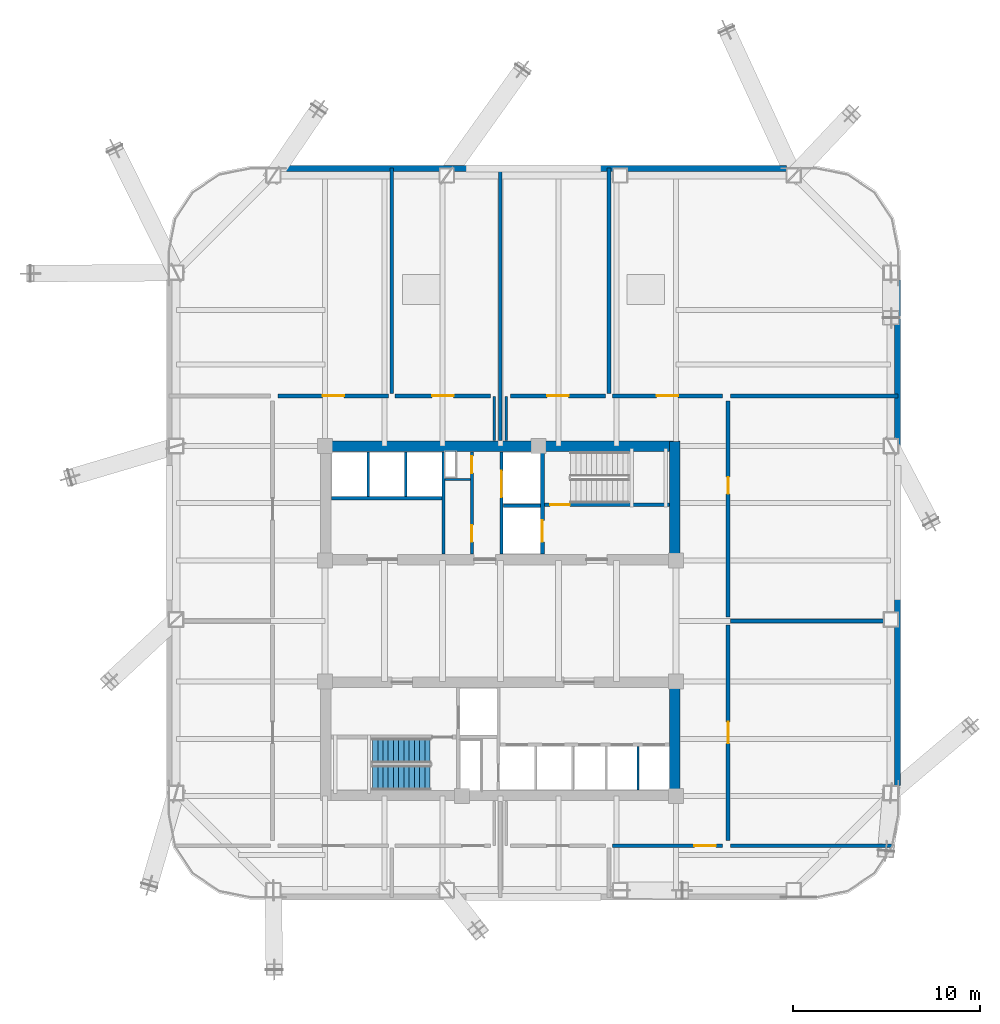
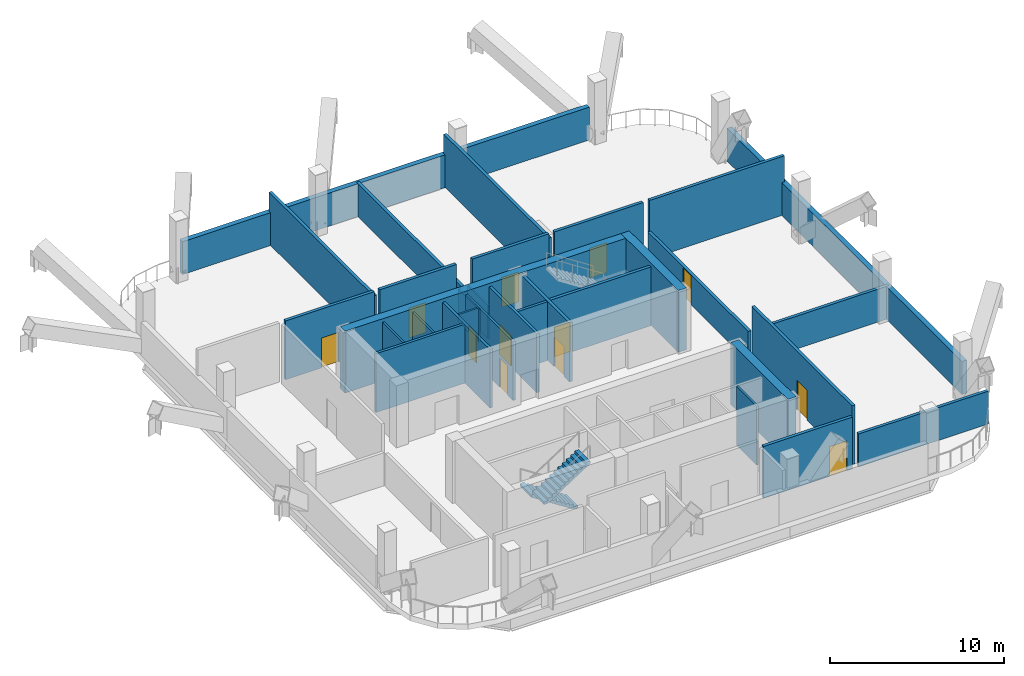
# One storey, part 4 of 7: 31 walls, 12 doors, 2 stair flights, 12 openings, 1 element without a shape of its own.
"""IFC4 building model written with IfcOpenShell, lengths in metres."""

from ifc_helpers import new_model, si_unit, direction, frame, frame_2d, origin, place, context, subcontext, project, spatial, polyline, rectangle, outline, extrude, material, layer, layer_set, type_object, element, fill, aggregate, save


model = new_model("IFC4")

# Units and contexts
model_context = context("Model", 3, precision=1e-05, world=origin(), true_north=direction((0.0, 1.0)))
body_context = subcontext(model_context, "Body", "Model", "MODEL_VIEW")
ifc_project = project(units=[si_unit("LENGTHUNIT", "METRE"), si_unit("AREAUNIT", "SQUARE_METRE"), si_unit("VOLUMEUNIT", "CUBIC_METRE"), si_unit("PLANEANGLEUNIT", "RADIAN"), si_unit("MASSUNIT", "GRAM", prefix="KILO")], contexts=[model_context])

# Site, building, storey
site_placement = place(None, origin())
site = spatial("IfcSite", under=ifc_project, at=site_placement, CompositionType="ELEMENT")
building_placement = place(site_placement, origin())
building = spatial("IfcBuilding", under=site, at=building_placement, Name="Qhalaya Broadcast Tower", CompositionType="ELEMENT")
storey_placement = place(building_placement, frame((0.0, 0.0, 108.449951171875)))
storey = spatial("IfcBuildingStorey", under=building, at=storey_placement, Name="L31", CompositionType="ELEMENT", Elevation=108.449951171875)

# Wall, openings, doors
ifc_material_1 = material(Name="Gypsum Acoustic Partition")
ifc_layer_1 = layer(ifc_material_1, 0.14990234375, Name="Gypsum Acoustic Partition")
ifc_layer_set_1 = layer_set([ifc_layer_1], Name="Gypsum Acoustic Partition")
wall_type_1 = type_object("IfcWallType", Name="Corridor & Tenancy Acoustic Partition 150", PredefinedType="PARTITIONING", material=ifc_layer_set_1)
wall_1_placement = place(storey_placement, frame((-1.52001953125, 4.169921875, 0.0), z_axis=(0.0, 0.0, 1.0), x_axis=(0.0, 1.0, 0.0)))
wall_1 = element("IfcWall", 1, at=wall_1_placement, inside=storey, type_object=wall_type_1, Name="L31 Partition Wall NCW-SVL", PredefinedType="PARTITIONING", context=body_context, shape_type="SweptSolid", body=[
    extrude(rectangle(XDim=5.4599609375, YDim=0.14990234375, at=frame_2d((2.72998046875, 0.0))), origin(), (0.0, 0.0, 1.0), 4.130126953125),
])
opening_1_placement = place(wall_1_placement, frame((4.330078125, 0.0, 0.0)))
opening_1 = element("IfcOpeningElement", 2, at=opening_1_placement, cuts=wall_1, Name="Opening D06", PredefinedType="OPENING", context=body_context, shape_type="SweptSolid", body=[
    extrude(rectangle(XDim=0.89990234375, YDim=2.050048828125, at=frame_2d((0.449951171875, 1.02490234375))), frame((0.0, 0.0869140625, 0.0), z_axis=(0.0, -1.0, 0.0), x_axis=(1.0, 0.0, 0.0)), (0.0, 0.0, 1.0), 0.173828125),
])
opening_2_placement = place(wall_1_placement, frame((0.64990234375, 0.0, 0.0)))
opening_2 = element("IfcOpeningElement", 3, at=opening_2_placement, cuts=wall_1, Name="Opening D06", PredefinedType="OPENING", context=body_context, shape_type="SweptSolid", body=[
    extrude(rectangle(XDim=0.89990234375, YDim=2.050048828125, at=frame_2d((0.449951171875, 1.02490234375))), frame((0.0, 0.0869140625, 0.0), z_axis=(0.0, -1.0, 0.0), x_axis=(1.0, 0.0, 0.0)), (0.0, 0.0, 1.0), 0.173828125),
])
ifc_material_2 = material(Name="Fire-Rated Steel Door", Category="steel")
door_type_1 = type_object("IfcDoorType", Name="Riser & Electrical Shaft Access Door D06", OperationType="NOTDEFINED", PredefinedType="DOOR", material=ifc_material_2)
door_1_placement = place(opening_1_placement, origin())
door_1 = element("IfcDoor", 4, at=door_1_placement, inside=storey, type_object=door_type_1, Name="L31 Riser Shaft Access Door D-NRSR", OperationType="SINGLE_SWING_RIGHT", OverallHeight=2.050048828125, OverallWidth=0.89990234375, PredefinedType="DOOR", context=body_context, shape_type="SweptSolid", body=[
    extrude(rectangle(XDim=0.89990234375, YDim=2.050048828125, at=frame_2d((0.449951171875, 1.02490234375))), frame((0.0, 0.02490234375, 0.0), z_axis=(0.0, -1.0, 0.0), x_axis=(1.0, 0.0, 0.0)), (0.0, 0.0, 1.0), 0.050048828125),
])
fill(opening_1, door_1)
door_2_placement = place(opening_2_placement, origin())
door_2 = element("IfcDoor", 5, at=door_2_placement, inside=storey, type_object=door_type_1, Name="L31 Door D-NCST", OperationType="SINGLE_SWING_LEFT", OverallHeight=2.050048828125, OverallWidth=0.89990234375, PredefinedType="DOOR", context=body_context, shape_type="SweptSolid", body=[
    extrude(rectangle(XDim=0.89990234375, YDim=2.050048828125, at=frame_2d((0.449951171875, 1.02490234375))), frame((0.0, 0.02490234375, 0.0), z_axis=(0.0, -1.0, 0.0), x_axis=(1.0, 0.0, 0.0)), (0.0, 0.0, 1.0), 0.050048828125),
])
fill(opening_2, door_2)

# Wall
ifc_layer_2 = layer(ifc_material_1, 0.199951171875, Name="Gypsum Acoustic Partition")
ifc_layer_set_2 = layer_set([ifc_layer_2], Name="Gypsum Acoustic Partition")
wall_type_2 = type_object("IfcWallType", Name="Firefighting Lobby & Stair Enclosure Wall 200", PredefinedType="PARTITIONING", material=ifc_layer_set_2)
wall_2_placement = place(storey_placement, frame((0.0, 10.239990234375, 0.0), z_axis=(0.0, 0.0, 1.0), x_axis=(0.0, 1.0, 0.0)))
element("IfcWall", 6, at=wall_2_placement, inside=storey, type_object=wall_type_2, Name="L31 Partition Wall W-OBN", PredefinedType="PARTITIONING", context=body_context, shape_type="SweptSolid", body=[
    extrude(rectangle(XDim=14.550048828125, YDim=0.199951171875, at=frame_2d((7.27490234375, 0.0))), origin(), (0.0, 0.0, 1.0), 2.31005859375),
])

# Wall, opening, door
wall_3_placement = place(storey_placement, frame((-11.8701171875, 12.6201171875, 0.0), z_axis=(0.0, 0.0, 1.0), x_axis=(1.0, 0.0, 0.0)))
wall_3 = element("IfcWall", 7, at=wall_3_placement, inside=storey, type_object=wall_type_2, Name="L31 Partition Wall W-PCN0", PredefinedType="PARTITIONING", context=body_context, shape_type="SweptSolid", body=[
    extrude(rectangle(XDim=5.89013671875, YDim=0.199951171875, at=frame_2d((2.945068359375, 0.0))), origin(), (0.0, 0.0, 1.0), 4.130126953125),
])
opening_3_placement = place(wall_3_placement, frame((2.3701171875, 0.0, 0.0)))
opening_3 = element("IfcOpeningElement", 8, at=opening_3_placement, cuts=wall_3, Name="Opening D05", PredefinedType="OPENING", context=body_context, shape_type="SweptSolid", body=[
    extrude(rectangle(XDim=1.14990234375, YDim=2.10009765625, at=frame_2d((0.574951171875, 1.050048828125))), frame((0.0, 0.112060546875, 0.0), z_axis=(0.0, -1.0, 0.0), x_axis=(1.0, 0.0, 0.0)), (0.0, 0.0, 1.0), 0.223876953125),
])
door_type_2 = type_object("IfcDoorType", Name="Refuge & Plant Room Fire Door D05", OperationType="NOTDEFINED", PredefinedType="DOOR", material=ifc_material_2)
door_3_placement = place(opening_3_placement, origin())
door_3 = element("IfcDoor", 9, at=door_3_placement, inside=storey, type_object=door_type_2, Name="L31 Door D-PCN0", OperationType="SINGLE_SWING_LEFT", OverallHeight=2.10009765625, OverallWidth=1.14990234375, PredefinedType="DOOR", context=body_context, shape_type="SweptSolid", body=[
    extrude(rectangle(XDim=1.14990234375, YDim=2.10009765625, at=frame_2d((0.574951171875, 1.050048828125))), frame((0.0, 0.02490234375, 0.0), z_axis=(0.0, -1.0, 0.0), x_axis=(1.0, 0.0, 0.0)), (0.0, 0.0, 1.0), 0.050048828125),
])
fill(opening_3, door_3)

# Wall
wall_4_placement = place(storey_placement, frame((-5.800048828125, 12.739990234375, 0.0), z_axis=(0.0, 0.0, 1.0), x_axis=(0.0, 1.0, 0.0)))
element("IfcWall", 10, at=wall_4_placement, inside=storey, type_object=wall_type_2, Name="L31 Partition Wall W-PDN1", PredefinedType="PARTITIONING", context=body_context, shape_type="SweptSolid", body=[
    extrude(rectangle(XDim=12.050048828125, YDim=0.199951171875, at=frame_2d((6.02490234375, 0.0))), origin(), (0.0, 0.0, 1.0), 3.64697265625),
])

# Wall, opening, door
wall_5_placement = place(storey_placement, frame((-5.6201171875, 12.6201171875, 0.0), z_axis=(0.0, 0.0, 1.0), x_axis=(1.0, 0.0, 0.0)))
wall_5 = element("IfcWall", 11, at=wall_5_placement, inside=storey, type_object=wall_type_2, Name="L31 Partition Wall W-PCN1", PredefinedType="PARTITIONING", context=body_context, shape_type="SweptSolid", body=[
    extrude(rectangle(XDim=5.090087890625, YDim=0.199951171875, at=frame_2d((2.544921875, 0.0))), origin(), (0.0, 0.0, 1.0), 4.130126953125),
])
opening_4_placement = place(wall_5_placement, frame((1.969970703125, 0.0, 0.0)))
opening_4 = element("IfcOpeningElement", 12, at=opening_4_placement, cuts=wall_5, Name="Opening D05", PredefinedType="OPENING", context=body_context, shape_type="SweptSolid", body=[
    extrude(rectangle(XDim=1.14990234375, YDim=2.10009765625, at=frame_2d((0.574951171875, 1.050048828125))), frame((0.0, 0.112060546875, 0.0), z_axis=(0.0, -1.0, 0.0), x_axis=(1.0, 0.0, 0.0)), (0.0, 0.0, 1.0), 0.223876953125),
])
door_4_placement = place(opening_4_placement, origin())
door_4 = element("IfcDoor", 13, at=door_4_placement, inside=storey, type_object=door_type_2, Name="L31 Door D-PCN1", OperationType="SINGLE_SWING_LEFT", OverallHeight=2.10009765625, OverallWidth=1.14990234375, PredefinedType="DOOR", context=body_context, shape_type="SweptSolid", body=[
    extrude(rectangle(XDim=1.14990234375, YDim=2.10009765625, at=frame_2d((0.574951171875, 1.050048828125))), frame((0.0, 0.02490234375, 0.0), z_axis=(0.0, -1.0, 0.0), x_axis=(1.0, 0.0, 0.0)), (0.0, 0.0, 1.0), 0.050048828125),
])
fill(opening_4, door_4)

wall_6_placement = place(storey_placement, frame((0.530029296875, 12.6201171875, 0.0), z_axis=(0.0, 0.0, 1.0), x_axis=(1.0, 0.0, 0.0)))
wall_6 = element("IfcWall", 14, at=wall_6_placement, inside=storey, type_object=wall_type_2, Name="L31 Partition Wall W-PCN2", PredefinedType="PARTITIONING", context=body_context, shape_type="SweptSolid", body=[
    extrude(rectangle(XDim=5.090087890625, YDim=0.199951171875, at=frame_2d((2.544921875, 0.0))), origin(), (0.0, 0.0, 1.0), 4.130126953125),
])
opening_5_placement = place(wall_6_placement, frame((1.969970703125, 0.0, 0.0)))
opening_5 = element("IfcOpeningElement", 15, at=opening_5_placement, cuts=wall_6, Name="Opening D05", PredefinedType="OPENING", context=body_context, shape_type="SweptSolid", body=[
    extrude(rectangle(XDim=1.14990234375, YDim=2.10009765625, at=frame_2d((0.574951171875, 1.050048828125))), frame((0.0, 0.112060546875, 0.0), z_axis=(0.0, -1.0, 0.0), x_axis=(1.0, 0.0, 0.0)), (0.0, 0.0, 1.0), 0.223876953125),
])
door_5_placement = place(opening_5_placement, origin())
door_5 = element("IfcDoor", 16, at=door_5_placement, inside=storey, type_object=door_type_2, Name="L31 Door D-PCN2", OperationType="SINGLE_SWING_LEFT", OverallHeight=2.10009765625, OverallWidth=1.14990234375, PredefinedType="DOOR", context=body_context, shape_type="SweptSolid", body=[
    extrude(rectangle(XDim=1.14990234375, YDim=2.10009765625, at=frame_2d((0.574951171875, 1.050048828125))), frame((0.0, 0.02490234375, 0.0), z_axis=(0.0, -1.0, 0.0), x_axis=(1.0, 0.0, 0.0)), (0.0, 0.0, 1.0), 0.050048828125),
])
fill(opening_5, door_5)

# Wall
wall_7_placement = place(storey_placement, frame((5.800048828125, 12.739990234375, 0.0), z_axis=(0.0, 0.0, 1.0), x_axis=(0.0, 1.0, 0.0)))
element("IfcWall", 17, at=wall_7_placement, inside=storey, type_object=wall_type_2, Name="L31 Partition Wall W-PDN3", PredefinedType="PARTITIONING", context=body_context, shape_type="SweptSolid", body=[
    extrude(rectangle(XDim=12.050048828125, YDim=0.199951171875, at=frame_2d((6.02490234375, 0.0))), origin(), (0.0, 0.0, 1.0), 3.64697265625),
])

# Wall, opening, door
wall_8_placement = place(storey_placement, frame((5.97998046875, 12.6201171875, 0.0), z_axis=(0.0, 0.0, 1.0), x_axis=(1.0, 0.0, 0.0)))
wall_8 = element("IfcWall", 18, at=wall_8_placement, inside=storey, type_object=wall_type_2, Name="L31 Partition Wall W-PCN3", PredefinedType="PARTITIONING", context=body_context, shape_type="SweptSolid", body=[
    extrude(rectangle(XDim=5.89013671875, YDim=0.199951171875, at=frame_2d((2.945068359375, 0.0))), origin(), (0.0, 0.0, 1.0), 4.130126953125),
])
opening_6_placement = place(wall_8_placement, frame((2.3701171875, 0.0, 0.0)))
opening_6 = element("IfcOpeningElement", 19, at=opening_6_placement, cuts=wall_8, Name="Opening D05", PredefinedType="OPENING", context=body_context, shape_type="SweptSolid", body=[
    extrude(rectangle(XDim=1.14990234375, YDim=2.10009765625, at=frame_2d((0.574951171875, 1.050048828125))), frame((0.0, 0.112060546875, 0.0), z_axis=(0.0, -1.0, 0.0), x_axis=(1.0, 0.0, 0.0)), (0.0, 0.0, 1.0), 0.223876953125),
])
door_6_placement = place(opening_6_placement, origin())
door_6 = element("IfcDoor", 20, at=door_6_placement, inside=storey, type_object=door_type_2, Name="L31 Door D-PCN3", OperationType="SINGLE_SWING_LEFT", OverallHeight=2.10009765625, OverallWidth=1.14990234375, PredefinedType="DOOR", context=body_context, shape_type="SweptSolid", body=[
    extrude(rectangle(XDim=1.14990234375, YDim=2.10009765625, at=frame_2d((0.574951171875, 1.050048828125))), frame((0.0, 0.02490234375, 0.0), z_axis=(0.0, -1.0, 0.0), x_axis=(1.0, 0.0, 0.0)), (0.0, 0.0, 1.0), 0.050048828125),
])
fill(opening_6, door_6)

wall_9_placement = place(storey_placement, frame((5.97998046875, -11.419921875, 0.0), z_axis=(0.0, 0.0, 1.0), x_axis=(1.0, 0.0, 0.0)))
wall_9 = element("IfcWall", 21, at=wall_9_placement, inside=storey, type_object=wall_type_2, Name="L31 Partition Wall W-PCS3", PredefinedType="PARTITIONING", context=body_context, shape_type="SweptSolid", body=[
    extrude(rectangle(XDim=5.89013671875, YDim=0.199951171875, at=frame_2d((2.945068359375, 0.0))), origin(), (0.0, 0.0, 1.0), 3.64697265625),
])
opening_7_placement = place(wall_9_placement, frame((4.389892578125, 0.0, 0.0)))
opening_7 = element("IfcOpeningElement", 22, at=opening_7_placement, cuts=wall_9, Name="Opening D05", PredefinedType="OPENING", context=body_context, shape_type="SweptSolid", body=[
    extrude(rectangle(XDim=1.14990234375, YDim=2.10009765625, at=frame_2d((0.574951171875, 1.050048828125))), frame((0.0, 0.112060546875, 0.0), z_axis=(0.0, -1.0, 0.0), x_axis=(1.0, 0.0, 0.0)), (0.0, 0.0, 1.0), 0.223876953125),
])
door_7_placement = place(opening_7_placement, origin())
door_7 = element("IfcDoor", 23, at=door_7_placement, inside=storey, type_object=door_type_2, Name="L31 Door D-PCS3", OperationType="SINGLE_SWING_RIGHT", OverallHeight=2.10009765625, OverallWidth=1.14990234375, PredefinedType="DOOR", context=body_context, shape_type="SweptSolid", body=[
    extrude(rectangle(XDim=1.14990234375, YDim=2.10009765625, at=frame_2d((0.574951171875, 1.050048828125))), frame((0.0, 0.02490234375, 0.0), z_axis=(0.0, -1.0, 0.0), x_axis=(1.0, 0.0, 0.0)), (0.0, 0.0, 1.0), 0.050048828125),
])
fill(opening_7, door_7)

# Walls
wall_10_placement = place(storey_placement, frame((12.2900390625, 12.6201171875, 0.0), z_axis=(0.0, 0.0, 1.0), x_axis=(1.0, 0.0, 0.0)))
element("IfcWall", 24, at=wall_10_placement, inside=storey, type_object=wall_type_2, Name="L31 Partition Wall W-PBNE", PredefinedType="PARTITIONING", context=body_context, shape_type="SweptSolid", body=[
    extrude(rectangle(XDim=8.9599609375, YDim=0.199951171875, at=frame_2d((4.47998046875, 0.0))), origin(), (0.0, 0.0, 1.0), 4.130126953125),
])
wall_11_placement = place(storey_placement, frame((12.2900390625, -11.419921875, 0.0), z_axis=(0.0, 0.0, 1.0), x_axis=(1.0, 0.0, 0.0)))
element("IfcWall", 25, at=wall_11_placement, inside=storey, type_object=wall_type_2, Name="L31 Partition Wall W-PBSE", PredefinedType="PARTITIONING", context=body_context, shape_type="SweptSolid", body=[
    extrude(rectangle(XDim=8.633544921875, YDim=0.199951171875, at=frame_2d((4.31689453125, 0.0))), origin(), (0.0, 0.0, 1.0), 2.31005859375),
])
wall_12_placement = place(storey_placement, frame((12.2900390625, 0.60009765625, 0.0), z_axis=(0.0, 0.0, 1.0), x_axis=(1.0, 0.0, 0.0)))
element("IfcWall", 26, at=wall_12_placement, inside=storey, type_object=wall_type_2, Name="L31 Partition Wall W-PDE1", PredefinedType="PARTITIONING", context=body_context, shape_type="SweptSolid", body=[
    extrude(rectangle(XDim=8.9599609375, YDim=0.199951171875, at=frame_2d((4.47998046875, 0.0))), origin(), (0.0, 0.0, 1.0), 2.31005859375),
])

# Wall, opening, door
wall_13_placement = place(storey_placement, frame((12.169921875, -11.139892578125, 0.0), z_axis=(0.0, 0.0, 1.0), x_axis=(0.0, 1.0, 0.0)))
wall_13 = element("IfcWall", 27, at=wall_13_placement, inside=storey, type_object=wall_type_2, Name="L31 Partition Wall W-PCE1", PredefinedType="PARTITIONING", context=body_context, shape_type="SweptSolid", body=[
    extrude(rectangle(XDim=11.52978515625, YDim=0.199951171875, at=frame_2d((5.764892578125, 0.0))), origin(), (0.0, 0.0, 1.0), 4.130126953125),
])
opening_8_placement = place(wall_13_placement, frame((5.18994140625, 0.0, 0.0)))
opening_8 = element("IfcOpeningElement", 28, at=opening_8_placement, cuts=wall_13, Name="Opening D05", PredefinedType="OPENING", context=body_context, shape_type="SweptSolid", body=[
    extrude(rectangle(XDim=1.14990234375, YDim=2.10009765625, at=frame_2d((0.574951171875, 1.050048828125))), frame((0.0, 0.112060546875, 0.0), z_axis=(0.0, -1.0, 0.0), x_axis=(1.0, 0.0, 0.0)), (0.0, 0.0, 1.0), 0.223876953125),
])
door_8_placement = place(opening_8_placement, origin())
door_8 = element("IfcDoor", 29, at=door_8_placement, inside=storey, type_object=door_type_2, Name="L31 Door D-PCE1", OperationType="SINGLE_SWING_RIGHT", OverallHeight=2.10009765625, OverallWidth=1.14990234375, PredefinedType="DOOR", context=body_context, shape_type="SweptSolid", body=[
    extrude(rectangle(XDim=1.14990234375, YDim=2.10009765625, at=frame_2d((0.574951171875, 1.050048828125))), frame((0.0, 0.02490234375, 0.0), z_axis=(0.0, -1.0, 0.0), x_axis=(1.0, 0.0, 0.0)), (0.0, 0.0, 1.0), 0.050048828125),
])
fill(opening_8, door_8)

wall_14_placement = place(storey_placement, frame((12.169921875, 0.81005859375, 0.0), z_axis=(0.0, 0.0, 1.0), x_axis=(0.0, 1.0, 0.0)))
wall_14 = element("IfcWall", 30, at=wall_14_placement, inside=storey, type_object=wall_type_2, Name="L31 Partition Wall W-PCE2", PredefinedType="PARTITIONING", context=body_context, shape_type="SweptSolid", body=[
    extrude(rectangle(XDim=11.530029296875, YDim=0.199951171875, at=frame_2d((5.76513671875, 0.0))), origin(), (0.0, 0.0, 1.0), 2.110107421875),
])
opening_9_placement = place(wall_14_placement, frame((6.573974609375, 0.0, 0.0)))
opening_9 = element("IfcOpeningElement", 31, at=opening_9_placement, cuts=wall_14, Name="Opening D06", PredefinedType="OPENING", context=body_context, shape_type="SweptSolid", body=[
    extrude(rectangle(XDim=0.89990234375, YDim=2.050048828125, at=frame_2d((0.449951171875, 1.02490234375))), frame((0.0, 0.112060546875, 0.0), z_axis=(0.0, -1.0, 0.0), x_axis=(1.0, 0.0, 0.0)), (0.0, 0.0, 1.0), 0.223876953125),
])
door_9_placement = place(opening_9_placement, origin())
door_9 = element("IfcDoor", 32, at=door_9_placement, inside=storey, type_object=door_type_1, Name="L31 Door D-PCE2", OperationType="SINGLE_SWING_LEFT", OverallHeight=2.050048828125, OverallWidth=0.89990234375, PredefinedType="DOOR", context=body_context, shape_type="SweptSolid", body=[
    extrude(rectangle(XDim=0.89990234375, YDim=2.050048828125, at=frame_2d((0.449951171875, 1.02490234375))), frame((0.0, 0.02490234375, 0.0), z_axis=(0.0, -1.0, 0.0), x_axis=(1.0, 0.0, 0.0)), (0.0, 0.0, 1.0), 0.050048828125),
])
fill(opening_9, door_9)

ifc_material_3 = material(Name="Concrete C50/60", Category="concrete")
ifc_layer_3 = layer(ifc_material_3, 0.199951171875, Name="Concrete C50/60")
ifc_layer_set_3 = layer_set([ifc_layer_3], Name="Concrete C50/60")
wall_type_3 = type_object("IfcWallType", Name="Load-Bearing Stair Shaft Wall 200", PredefinedType="SHEAR", material=ifc_layer_set_3)
wall_15_placement = place(storey_placement, frame((2.360107421875, 6.804931640625, 0.0), z_axis=(0.0, 0.0, 1.0), x_axis=(1.0, 0.0, 0.0)))
wall_15 = element("IfcWall", 33, at=wall_15_placement, inside=storey, type_object=wall_type_3, Name="L31 Stair Core Shear Wall NCW-ST1", PredefinedType="SHEAR", context=body_context, shape_type="SweptSolid", body=[
    extrude(rectangle(XDim=6.669921875, YDim=0.199951171875, at=frame_2d((3.3349609375, 0.0))), origin(), (0.0, 0.0, 1.0), 4.130126953125),
])
opening_10_placement = place(wall_15_placement, frame((0.300048828125, 0.0, 0.0)))
opening_10 = element("IfcOpeningElement", 34, at=opening_10_placement, cuts=wall_15, Name="Opening D03", PredefinedType="OPENING", context=body_context, shape_type="SweptSolid", body=[
    extrude(rectangle(XDim=1.050048828125, YDim=2.080078125, at=frame_2d((0.52490234375, 1.0400390625))), frame((0.0, 0.112060546875, 0.0), z_axis=(0.0, -1.0, 0.0), x_axis=(1.0, 0.0, 0.0)), (0.0, 0.0, 1.0), 0.223876953125),
])
door_type_3 = type_object("IfcDoorType", Name="Core Stair Protected Fire Door D03", OperationType="NOTDEFINED", PredefinedType="DOOR", material=ifc_material_2)
door_10_placement = place(opening_10_placement, origin())
door_10 = element("IfcDoor", 35, at=door_10_placement, inside=storey, type_object=door_type_3, Name="L31 Door D-NST1", OperationType="SINGLE_SWING_LEFT", OverallHeight=2.080078125, OverallWidth=1.050048828125, PredefinedType="DOOR", context=body_context, shape_type="SweptSolid", body=[
    extrude(rectangle(XDim=1.050048828125, YDim=2.080078125, at=frame_2d((0.52490234375, 1.0400390625))), frame((0.0, 0.02490234375, 0.0), z_axis=(0.0, -1.0, 0.0), x_axis=(1.0, 0.0, 0.0)), (0.0, 0.0, 1.0), 0.050048828125),
])
fill(opening_10, door_10)

wall_16_placement = place(storey_placement, frame((2.25, 4.169921875, 0.0), z_axis=(0.0, 0.0, 1.0), x_axis=(0.0, 1.0, 0.0)))
wall_16 = element("IfcWall", 36, at=wall_16_placement, inside=storey, type_object=wall_type_3, Name="L31 Stair Core Shear Wall NCW-FF", PredefinedType="SHEAR", context=body_context, shape_type="SweptSolid", body=[
    extrude(rectangle(XDim=5.4599609375, YDim=0.199951171875, at=frame_2d((2.72998046875, 0.0))), origin(), (0.0, 0.0, 1.0), 4.130126953125),
])
opening_11_placement = place(wall_16_placement, frame((0.64990234375, 0.0, 0.0)))
opening_11 = element("IfcOpeningElement", 37, at=opening_11_placement, cuts=wall_16, Name="Opening LD2", PredefinedType="OPENING", context=body_context, shape_type="SweptSolid", body=[
    extrude(rectangle(XDim=1.14990234375, YDim=2.080078125, at=frame_2d((0.574951171875, 1.0400390625))), frame((0.0, 0.112060546875, 0.0), z_axis=(0.0, -1.0, 0.0), x_axis=(1.0, 0.0, 0.0)), (0.0, 0.0, 1.0), 0.223876953125),
])
ifc_material_4 = material(Name="Brushed Stainless Steel Lift Door", Category="steel")
door_type_4 = type_object("IfcDoorType", Name="Firefighting Lift Sliding Landing Door LD2", OperationType="DOUBLE_DOOR_SLIDING", PredefinedType="DOOR", material=ifc_material_4)
door_11_placement = place(opening_11_placement, origin())
door_11 = element("IfcDoor", 38, at=door_11_placement, inside=storey, type_object=door_type_4, Name="L31 Door LD-FF1", OperationType="DOUBLE_DOOR_SLIDING", OverallHeight=2.080078125, OverallWidth=1.14990234375, PredefinedType="DOOR", context=body_context, shape_type="SweptSolid", body=[
    extrude(rectangle(XDim=1.14990234375, YDim=2.080078125, at=frame_2d((0.574951171875, 1.0400390625))), frame((0.0, 0.02490234375, 0.0), z_axis=(0.0, -1.0, 0.0), x_axis=(1.0, 0.0, 0.0)), (0.0, 0.0, 1.0), 0.050048828125),
])
fill(opening_11, door_11)

# Walls
ifc_material_5 = material(Name="Concrete C60/75", Category="concrete")
ifc_layer_4 = layer(ifc_material_5, 0.550048828125, Name="Concrete C60/75")
ifc_layer_set_4 = layer_set([ifc_layer_4], Name="Concrete C60/75")
wall_type_4 = type_object("IfcWallType", Name="Lower Split-Core Shear Wall 550", PredefinedType="SHEAR", material=ifc_layer_set_4)
wall_17_placement = place(storey_placement, frame((-9.60009765625, 9.925048828125, 0.0), z_axis=(0.0, 0.0, 1.0), x_axis=(1.0, 0.0, 0.0)))
element("IfcWall", 39, at=wall_17_placement, inside=storey, type_object=wall_type_4, Name="L31 Split-Core Shear Wall CW-NN", PredefinedType="SHEAR", context=body_context, shape_type="SweptSolid", body=[
    extrude(rectangle(XDim=19.2001953125, YDim=0.550048828125, at=frame_2d((9.60009765625, 0.0))), origin(), (0.0, 0.0, 1.0), 4.35009765625),
])
wall_18_placement = place(storey_placement, frame((9.324951171875, 3.60009765625, 0.0), z_axis=(0.0, 0.0, 1.0), x_axis=(0.0, 1.0, 0.0)))
element("IfcWall", 40, at=wall_18_placement, inside=storey, type_object=wall_type_4, Name="L31 Split-Core Shear Wall CW-NE", PredefinedType="SHEAR", context=body_context, shape_type="SweptSolid", body=[
    extrude(rectangle(XDim=6.599853515625, YDim=0.550048828125, at=frame_2d((3.2998046875, 0.0))), origin(), (0.0, 0.0, 1.0), 4.35009765625),
])
wall_19_placement = place(storey_placement, frame((9.324951171875, -9.0, 0.0), z_axis=(0.0, 0.0, 1.0), x_axis=(0.0, 1.0, 0.0)))
element("IfcWall", 41, at=wall_19_placement, inside=storey, type_object=wall_type_4, Name="L31 Split-Core Shear Wall CW-SE", PredefinedType="SHEAR", context=body_context, shape_type="SweptSolid", body=[
    extrude(rectangle(XDim=6.60009765625, YDim=0.550048828125, at=frame_2d((3.300048828125, 0.0))), origin(), (0.0, 0.0, 1.0), 4.35009765625),
])
ifc_layer_5 = layer(ifc_material_1, 0.1201171875, Name="Gypsum Acoustic Partition")
ifc_layer_set_5 = layer_set([ifc_layer_5], Name="Gypsum Acoustic Partition")
wall_type_5 = type_object("IfcWallType", Name="Office, Booth & Sanitary Partition 120", PredefinedType="PARTITIONING", material=ifc_layer_set_5)
wall_20_placement = place(storey_placement, frame((-2.9599609375, 8.14990234375, 0.0), z_axis=(0.0, 0.0, 1.0), x_axis=(1.0, 0.0, 0.0)))
element("IfcWall", 42, at=wall_20_placement, inside=storey, type_object=wall_type_5, Name="L31 Partition Wall NCW-VA", PredefinedType="PARTITIONING", context=body_context, shape_type="SweptSolid", body=[
    extrude(rectangle(XDim=1.35986328125, YDim=0.1201171875, at=frame_2d((0.679931640625, 0.0))), origin(), (0.0, 0.0, 1.0), 4.130126953125),
])
for number, where, z_axis, x_axis, name in (
    (43, (-7.06005859375, 7.25, 0.0), (0.0, 0.0, 1.0), (0.0, 1.0, 0.0), "L31 Partition Wall NCW-PD1"),
    (44, (-5.06005859375, 7.25, 0.0), (0.0, 0.0, 1.0), (0.0, 1.0, 0.0), "L31 Partition Wall NCW-PD2"),
):
    element("IfcWall", number, at=place(storey_placement, frame(where, z_axis=z_axis, x_axis=x_axis)), inside=storey, type_object=wall_type_5, Name=name, PredefinedType="PARTITIONING", context=body_context, shape_type="SweptSolid", body=[
        extrude(rectangle(XDim=2.3798828125, YDim=0.1201171875, at=frame_2d((1.18994140625, 0.0))), origin(), (0.0, 0.0, 1.0), 4.130126953125),
    ])
wall_21_placement = place(storey_placement, frame((7.360107421875, -8.429931640625, 0.0), z_axis=(0.0, 0.0, 1.0), x_axis=(0.0, 1.0, 0.0)))
element("IfcWall", 45, at=wall_21_placement, inside=storey, type_object=wall_type_5, Name="L31 Partition Wall SCW-HD7", PredefinedType="PARTITIONING", context=body_context, shape_type="SweptSolid", body=[
    extrude(rectangle(XDim=2.329833984375, YDim=0.1201171875, at=frame_2d((1.1650390625, 0.0))), origin(), (0.0, 0.0, 1.0), 4.130126953125),
])
for number, where, z_axis, x_axis, name in (
    (46, (-0.320068359375, 10.239990234375, 0.0), (0.0, 0.0, 1.0), (0.0, 1.0, 0.0), "L31 Partition Wall W-OBNCW"),
    (47, (0.320068359375, 10.239990234375, 0.0), (0.0, 0.0, 1.0), (0.0, 1.0, 0.0), "L31 Partition Wall W-OBNCE"),
):
    element("IfcWall", number, at=place(storey_placement, frame(where, z_axis=z_axis, x_axis=x_axis)), inside=storey, type_object=wall_type_5, Name=name, PredefinedType="PARTITIONING", context=body_context, shape_type="SweptSolid", body=[
        extrude(rectangle(XDim=2.360107421875, YDim=0.1201171875, at=frame_2d((1.18017578125, 0.0))), origin(), (0.0, 0.0, 1.0), 2.31005859375),
    ])
ifc_material_6 = material(Name="Precast Concrete C40/50", Category="concrete")
ifc_layer_6 = layer(ifc_material_6, 0.320068359375, Name="Precast Concrete C40/50")
ifc_layer_set_6 = layer_set([ifc_layer_6], Name="Precast Concrete C40/50")
wall_type_6 = type_object("IfcWallType", Name="Recessed Neck Insulated Exterior Wall 320", PredefinedType="SOLIDWALL", material=ifc_layer_set_6)
for number, where, z_axis, x_axis, name in (
    (48, (21.22998046875, 18.822021484375, 0.0), (0.0, 0.0, 1.0), (0.0, -1.0, 0.0), "L31 Exterior Facade Wall E"),
    (49, (-11.741943359375, 24.77001953125, 0.0), (0.0, 0.0, 1.0), (1.0, 0.0, 0.0), "L31 Exterior Facade Wall N"),
):
    element("IfcWall", number, at=place(storey_placement, frame(where, z_axis=z_axis, x_axis=x_axis)), inside=storey, type_object=wall_type_6, Name=name, PredefinedType="SOLIDWALL", context=body_context, shape_type="SweptSolid", body=[
        extrude(rectangle(XDim=27.02392578125, YDim=0.320068359375, at=frame_2d((13.511962890625, 0.0))), origin(), (0.0, 0.0, 1.0), 2.31005859375),
    ])

# Wall, opening, door
ifc_layer_7 = layer(ifc_material_1, 0.175048828125, Name="Gypsum Acoustic Partition")
ifc_layer_set_7 = layer_set([ifc_layer_7], Name="Gypsum Acoustic Partition")
wall_type_7 = type_object("IfcWallType", Name="Shaft & Riser Fire Partition 175", PredefinedType="PARTITIONING", material=ifc_layer_set_7)
wall_22_placement = place(storey_placement, frame((0.06005859375, 4.169921875, 0.0), z_axis=(0.0, 0.0, 1.0), x_axis=(0.0, 1.0, 0.0)))
wall_22 = element("IfcWall", 50, at=wall_22_placement, inside=storey, type_object=wall_type_7, Name="L31 Partition Wall NCW-SVW", PredefinedType="PARTITIONING", context=body_context, shape_type="SweptSolid", body=[
    extrude(rectangle(XDim=5.4599609375, YDim=0.175048828125, at=frame_2d((2.72998046875, 0.0))), origin(), (0.0, 0.0, 1.0), 4.130126953125),
])
opening_12_placement = place(wall_22_placement, frame((3.050048828125, 0.0, 0.0)))
opening_12 = element("IfcOpeningElement", 51, at=opening_12_placement, cuts=wall_22, Name="Opening LD3", PredefinedType="OPENING", context=body_context, shape_type="SweptSolid", body=[
    extrude(rectangle(XDim=1.39990234375, YDim=2.1201171875, at=frame_2d((0.699951171875, 1.06005859375))), frame((0.0, 0.099609375, 0.0), z_axis=(0.0, -1.0, 0.0), x_axis=(1.0, 0.0, 0.0)), (0.0, 0.0, 1.0), 0.198974609375),
])
door_type_5 = type_object("IfcDoorType", Name="Service Lift Wide Sliding Landing Door LD3", OperationType="DOUBLE_DOOR_SLIDING", PredefinedType="DOOR", material=ifc_material_4)
door_12_placement = place(opening_12_placement, origin())
door_12 = element("IfcDoor", 52, at=door_12_placement, inside=storey, type_object=door_type_5, Name="L31 Door LD-SV1", OperationType="DOUBLE_DOOR_SLIDING", OverallHeight=2.1201171875, OverallWidth=1.39990234375, PredefinedType="DOOR", context=body_context, shape_type="SweptSolid", body=[
    extrude(rectangle(XDim=1.39990234375, YDim=2.1201171875, at=frame_2d((0.699951171875, 1.06005859375))), frame((0.0, 0.02490234375, 0.0), z_axis=(0.0, -1.0, 0.0), x_axis=(1.0, 0.0, 0.0)), (0.0, 0.0, 1.0), 0.050048828125),
])
fill(opening_12, door_12)

# Walls
wall_23_placement = place(storey_placement, frame((0.159912109375, 6.75, 0.0), z_axis=(0.0, 0.0, 1.0), x_axis=(1.0, 0.0, 0.0)))
element("IfcWall", 53, at=wall_23_placement, inside=storey, type_object=wall_type_7, Name="L31 Partition Wall NCW-SVM", PredefinedType="PARTITIONING", context=body_context, shape_type="SweptSolid", body=[
    extrude(rectangle(XDim=1.97998046875, YDim=0.175048828125, at=frame_2d((0.989990234375, 0.0))), origin(), (0.0, 0.0, 1.0), 4.130126953125),
])
wall_24_placement = place(storey_placement, frame((-3.0400390625, 4.169921875, 0.0), z_axis=(0.0, 0.0, 1.0), x_axis=(0.0, 1.0, 0.0)))
element("IfcWall", 54, at=wall_24_placement, inside=storey, type_object=wall_type_7, Name="L31 Partition Wall NCW-VRW", PredefinedType="PARTITIONING", context=body_context, shape_type="SweptSolid", body=[
    extrude(rectangle(XDim=5.4599609375, YDim=0.175048828125, at=frame_2d((2.72998046875, 0.0))), origin(), (0.0, 0.0, 1.0), 4.130126953125),
])
wall_25_placement = place(storey_placement, frame((-9.030029296875, 7.159912109375, 0.0), z_axis=(0.0, 0.0, 1.0), x_axis=(1.0, 0.0, 0.0)))
element("IfcWall", 55, at=wall_25_placement, inside=storey, type_object=wall_type_7, Name="L31 Partition Wall NCW-PLB", PredefinedType="PARTITIONING", context=body_context, shape_type="SweptSolid", body=[
    extrude(rectangle(XDim=5.909912109375, YDim=0.175048828125, at=frame_2d((2.955078125, 0.0))), origin(), (0.0, 0.0, 1.0), 4.130126953125),
])

# Stair, stair flights
ifc_material_7 = material(Name="Concrete C40/50", Category="concrete")
stair_type = type_object("IfcStairType", Name="Protected Dogleg Core Stair 4200", PredefinedType="TWO_STRAIGHT_RUN_STAIR", material=ifc_material_7)
stair_placement = place(storey_placement, origin())
stair = element("IfcStair", 56, at=stair_placement, inside=storey, type_object=stair_type, Name="L31 South Core Exit Stair ST-2", PredefinedType="TWO_STRAIGHT_RUN_STAIR")
stair_flight_type = type_object("IfcStairFlightType", Name="Precast Concrete Stair Flight 4200", PredefinedType="STRAIGHT", material=ifc_material_6)
stair_flight_1_placement = place(storey_placement, frame((-3.75, -6.340087890625, 0.0), z_axis=(0.0, 0.0, 1.0), x_axis=(-1.0, 0.0, 0.0)))
stair_flight_1 = element("IfcStairFlight", 57, at=stair_flight_1_placement, type_object=stair_flight_type, Name="ST-2 flight 1", NumberOfRisers=12, NumberOfTreads=11, PredefinedType="STRAIGHT", RiserHeight=0.18125, TreadLength=0.28, context=body_context, shape_type="SweptSolid", body=[
    extrude(outline(polyline([(0.0, 0.0), (0.0, 0.18115234375), (0.280029296875, 0.18115234375), (0.280029296875, 0.362548828125), (0.56005859375, 0.362548828125), (0.56005859375, 0.543701171875), (0.840087890625, 0.543701171875), (0.840087890625, 0.72509765625), (1.1201171875, 0.72509765625), (1.1201171875, 0.90625), (1.39990234375, 0.90625), (1.39990234375, 1.08740234375), (1.679931640625, 1.08740234375), (1.679931640625, 1.268798828125), (1.9599609375, 1.268798828125), (1.9599609375, 1.449951171875), (2.239990234375, 1.449951171875), (2.239990234375, 1.63134765625), (2.52001953125, 1.63134765625), (2.52001953125, 1.8125), (2.800048828125, 1.8125), (2.800048828125, 1.99365234375), (3.080078125, 1.99365234375), (3.080078125, 2.175048828125), (3.080078125, 1.815185546875), (0.27587890625, 0.0), (0.0, 0.0)])), frame((0.0, 0.66015625, 0.0), z_axis=(0.0, -1.0, 0.0), x_axis=(1.0, 0.0, 0.0)), (0.0, 0.0, 1.0), 1.320068359375),
])
stair_flight_2_placement = place(storey_placement, frame((-6.830078125, -7.780029296875, 2.175048828125), z_axis=(0.0, 0.0, 1.0), x_axis=(1.0, 0.0, 0.0)))
stair_flight_2 = element("IfcStairFlight", 58, at=stair_flight_2_placement, type_object=stair_flight_type, Name="ST-2 flight 2", NumberOfRisers=12, NumberOfTreads=11, PredefinedType="STRAIGHT", RiserHeight=0.18125, TreadLength=0.28, context=body_context, shape_type="SweptSolid", body=[
    extrude(outline(polyline([(0.0, 0.0), (0.0, 0.18115234375), (0.280029296875, 0.18115234375), (0.280029296875, 0.362548828125), (0.56005859375, 0.362548828125), (0.56005859375, 0.543701171875), (0.840087890625, 0.543701171875), (0.840087890625, 0.72509765625), (1.1201171875, 0.72509765625), (1.1201171875, 0.90625), (1.39990234375, 0.90625), (1.39990234375, 1.08740234375), (1.679931640625, 1.08740234375), (1.679931640625, 1.268798828125), (1.9599609375, 1.268798828125), (1.9599609375, 1.449951171875), (2.239990234375, 1.449951171875), (2.239990234375, 1.63134765625), (2.52001953125, 1.63134765625), (2.52001953125, 1.8125), (2.800048828125, 1.8125), (2.800048828125, 1.99365234375), (3.080078125, 1.99365234375), (3.080078125, 2.175048828125), (3.080078125, 1.815185546875), (0.27587890625, 0.0), (0.0, 0.0)])), frame((0.0, 0.66015625, 0.0), z_axis=(0.0, -1.0, 0.0), x_axis=(1.0, 0.0, 0.0)), (0.0, 0.0, 1.0), 1.320068359375),
])
aggregate(stair, [stair_flight_1, stair_flight_2])

save(model, "model.ifc")
